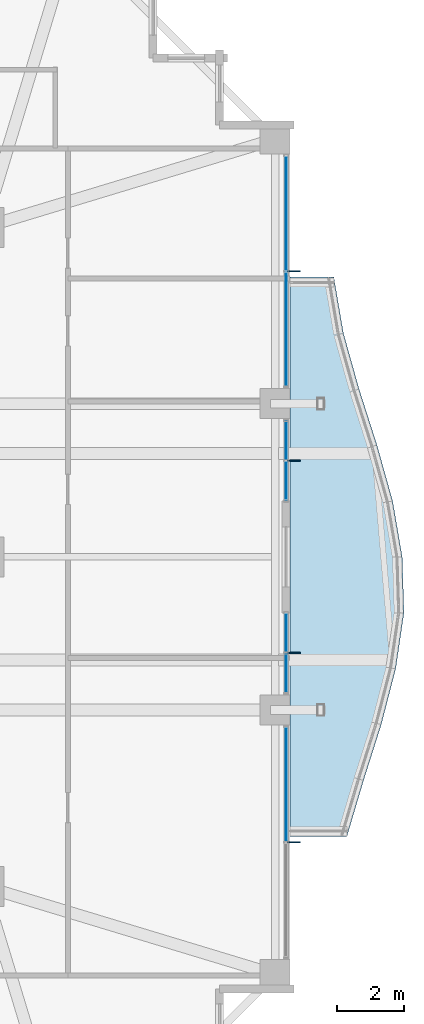
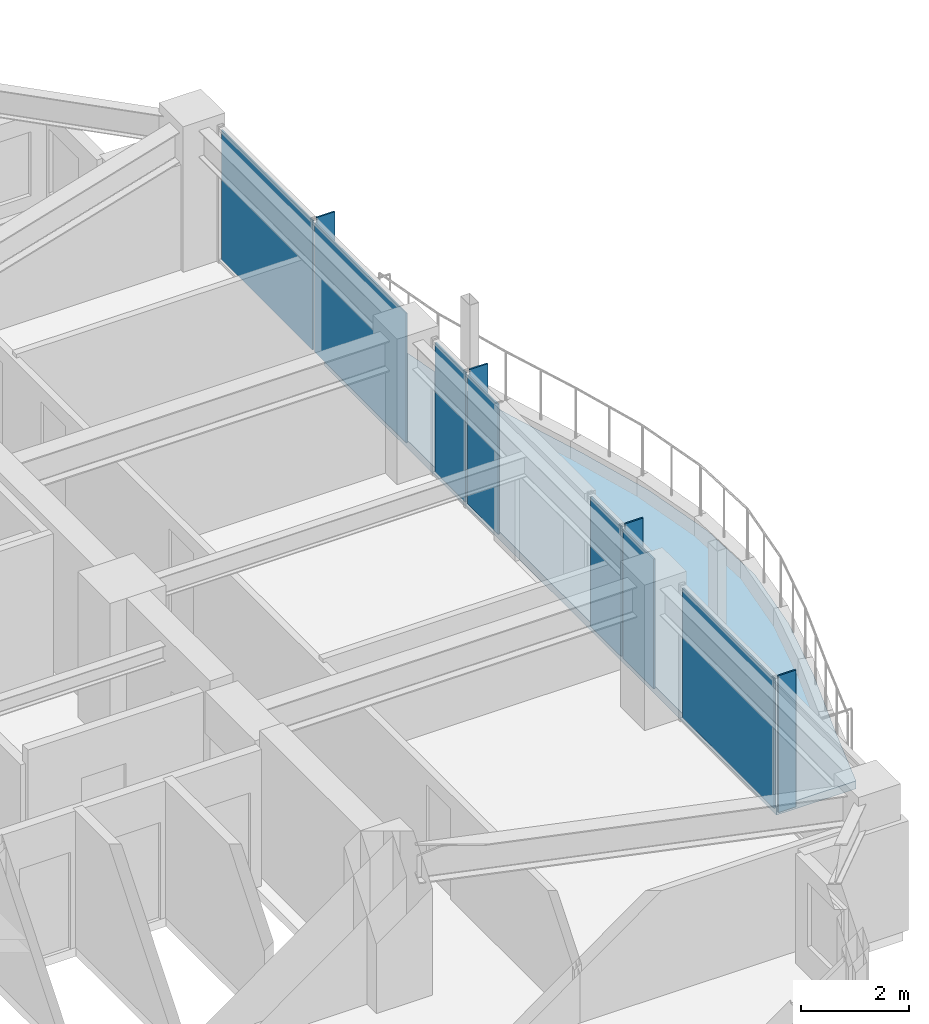
# One storey, part 28 of 35: 11 plates, 1 slab, 4 elements without a shape of their own.
"""IFC4 building model written with IfcOpenShell, lengths in metres."""

from ifc_helpers import new_model, si_unit, direction, frame, origin, origin_2d, place, context, subcontext, project, spatial, polyline, rectangle, outline, extrude, material, layer, layer_set, type_object, element, aggregate, save


model = new_model("IFC4")

# Units and contexts
model_context = context("Model", 3, precision=1e-05, world=origin(), true_north=direction((0.0, 1.0)))
body_context = subcontext(model_context, "Body", "Model", "MODEL_VIEW")
ifc_project = project(units=[si_unit("LENGTHUNIT", "METRE"), si_unit("AREAUNIT", "SQUARE_METRE"), si_unit("VOLUMEUNIT", "CUBIC_METRE"), si_unit("PLANEANGLEUNIT", "RADIAN"), si_unit("MASSUNIT", "GRAM", prefix="KILO")], contexts=[model_context])

# Site, building, storey
site_placement = place(None, origin())
site = spatial("IfcSite", under=ifc_project, at=site_placement, CompositionType="ELEMENT")
building_placement = place(site_placement, origin())
building = spatial("IfcBuilding", under=site, at=building_placement, Name="Kolvaren Belvedere", CompositionType="ELEMENT")
storey_placement = place(building_placement, frame((0.0, 0.0, 163.5)))
storey = spatial("IfcBuildingStorey", under=building, at=storey_placement, Name="L47", CompositionType="ELEMENT", Elevation=163.5)

# Curtain wall, plates
ifc_material_1 = material(Name="Anodised pale-metal aluminium AA 6063-T6", Category="aluminium")
curtain_wall_type = type_object("IfcCurtainWallType", Name="CW-Z3-WAIST", PredefinedType="NOTDEFINED", material=ifc_material_1)
curtain_wall_1_placement = place(storey_placement, origin())
curtain_wall_1 = element("IfcCurtainWall", 1, at=curtain_wall_1_placement, inside=storey, type_object=curtain_wall_type, Name="L47 Unitised Curtain Wall FCW-L47-E1-B1", PredefinedType="NOTDEFINED")
ifc_material_2 = material(Name="Low-iron triple insulated glass", Category="glass")
ifc_layer_1 = layer(ifc_material_2, 0.028076171875)
ifc_layer_set_1 = layer_set([ifc_layer_1], Name="Low-iron triple insulated glass")
plate_type_1 = type_object("IfcPlateType", Name="CW-PNL-VIS28", PredefinedType="CURTAIN_PANEL", material=ifc_layer_set_1)
plate_1_placement = place(storey_placement, frame((18.97998046875, 10.311279296875, 0.080078125), z_axis=(0.0, 0.0, 1.0), x_axis=(0.0, -1.0, 0.0)))
plate_1 = element("IfcPlate", 2, at=plate_1_placement, type_object=plate_type_1, Name="FCW-L47-E1-B1 Vision Glazing Panel 1", PredefinedType="CURTAIN_PANEL", context=body_context, shape_type="SweptSolid", body=[
    extrude(rectangle(XDim=3.392578125, YDim=0.028076171875, at=origin_2d()), origin(), (0.0, 0.0, 1.0), 2.93994140625),
])
plate_2_placement = place(storey_placement, frame((18.97998046875, 6.8388671875, 0.080078125), z_axis=(0.0, 0.0, 1.0), x_axis=(0.0, -1.0, 0.0)))
plate_2 = element("IfcPlate", 3, at=plate_2_placement, type_object=plate_type_1, Name="FCW-L47-E1-B1 Vision Glazing Panel 2", PredefinedType="CURTAIN_PANEL", context=body_context, shape_type="SweptSolid", body=[
    extrude(rectangle(XDim=3.392578125, YDim=0.028076171875, at=origin_2d()), origin(), (0.0, 0.0, 1.0), 2.93994140625),
])
aggregate(curtain_wall_1, [plate_1, plate_2])

curtain_wall_2_placement = place(storey_placement, origin())
curtain_wall_2 = element("IfcCurtainWall", 4, at=curtain_wall_2_placement, inside=storey, type_object=curtain_wall_type, Name="L47 Unitised Curtain Wall FCW-L47-E1-B2", PredefinedType="NOTDEFINED")
plate_3_placement = place(storey_placement, frame((18.97998046875, 3.4931640625, 0.080078125), z_axis=(0.0, 0.0, 1.0), x_axis=(0.0, -1.0, 0.0)))
plate_3 = element("IfcPlate", 5, at=plate_3_placement, type_object=plate_type_1, Name="FCW-L47-E1-B2 Vision Glazing Panel 1", PredefinedType="CURTAIN_PANEL", context=body_context, shape_type="SweptSolid", body=[
    extrude(rectangle(XDim=1.12890625, YDim=0.028076171875, at=origin_2d()), origin(), (0.0, 0.0, 1.0), 2.93994140625),
])
plate_4_placement = place(storey_placement, frame((18.97998046875, 2.284423828125, 0.080078125), z_axis=(0.0, 0.0, 1.0), x_axis=(0.0, -1.0, 0.0)))
plate_4 = element("IfcPlate", 6, at=plate_4_placement, type_object=plate_type_1, Name="FCW-L47-E1-B2 Vision Glazing Panel 2", PredefinedType="CURTAIN_PANEL", context=body_context, shape_type="SweptSolid", body=[
    extrude(rectangle(XDim=1.12890625, YDim=0.028076171875, at=origin_2d()), origin(), (0.0, 0.0, 1.0), 2.93994140625),
])
aggregate(curtain_wall_2, [plate_3, plate_4])

curtain_wall_3_placement = place(storey_placement, origin())
curtain_wall_3 = element("IfcCurtainWall", 7, at=curtain_wall_3_placement, inside=storey, type_object=curtain_wall_type, Name="L47 Unitised Curtain Wall FCW-L47-E2-B1", PredefinedType="NOTDEFINED")
plate_5_placement = place(storey_placement, frame((18.97998046875, -2.284423828125, 0.080078125), z_axis=(0.0, 0.0, 1.0), x_axis=(0.0, -1.0, 0.0)))
plate_5 = element("IfcPlate", 8, at=plate_5_placement, type_object=plate_type_1, Name="FCW-L47-E2-B1 Vision Glazing Panel 1", PredefinedType="CURTAIN_PANEL", context=body_context, shape_type="SweptSolid", body=[
    extrude(rectangle(XDim=1.12890625, YDim=0.028076171875, at=origin_2d()), origin(), (0.0, 0.0, 1.0), 2.93994140625),
])
plate_6_placement = place(storey_placement, frame((18.97998046875, -3.4931640625, 0.080078125), z_axis=(0.0, 0.0, 1.0), x_axis=(0.0, -1.0, 0.0)))
plate_6 = element("IfcPlate", 9, at=plate_6_placement, type_object=plate_type_1, Name="FCW-L47-E2-B1 Vision Glazing Panel 2", PredefinedType="CURTAIN_PANEL", context=body_context, shape_type="SweptSolid", body=[
    extrude(rectangle(XDim=1.12890625, YDim=0.028076171875, at=origin_2d()), origin(), (0.0, 0.0, 1.0), 2.93994140625),
])
aggregate(curtain_wall_3, [plate_5, plate_6])

# Curtain wall, plate
curtain_wall_4_placement = place(storey_placement, origin())
curtain_wall_4 = element("IfcCurtainWall", 10, at=curtain_wall_4_placement, inside=storey, type_object=curtain_wall_type, Name="L47 Unitised Curtain Wall FCW-L47-E2-B2", PredefinedType="NOTDEFINED")
plate_7_placement = place(storey_placement, frame((18.97998046875, -6.8388671875, 0.080078125), z_axis=(0.0, 0.0, 1.0), x_axis=(0.0, -1.0, 0.0)))
plate_7 = element("IfcPlate", 11, at=plate_7_placement, type_object=plate_type_1, Name="FCW-L47-E2-B2 Vision Glazing Panel 1", PredefinedType="CURTAIN_PANEL", context=body_context, shape_type="SweptSolid", body=[
    extrude(rectangle(XDim=3.392578125, YDim=0.028076171875, at=origin_2d()), origin(), (0.0, 0.0, 1.0), 2.93994140625),
])
aggregate(curtain_wall_4, [plate_7])

# Plates
ifc_material_3 = material(Name="Anodised pale-metal aluminium AA 6063-T6", Category="aluminium")
ifc_layer_2 = layer(ifc_material_3, 0.033935546875)
ifc_layer_set_2 = layer_set([ifc_layer_2], Name="Anodised pale-metal aluminium AA 6063-T6")
plate_type_2 = type_object("IfcPlateType", Name="FIN-VERT-380", PredefinedType="USERDEFINED", material=ifc_layer_set_2)
for number, where, z_axis, x_axis, name in (
    (12, (19.219970703125, 8.574951171875, 0.0), (0.0, 0.0, 1.0), (1.0, 0.0, 0.0), "L47 Pale-Metal Vertical Shading Fin FCW-L47-E1-B1-1"),
    (13, (19.219970703125, 2.888671875, 0.0), (0.0, 0.0, 1.0), (1.0, 0.0, 0.0), "L47 Pale-Metal Vertical Shading Fin FCW-L47-E1-B2-1"),
    (14, (19.219970703125, -2.888671875, 0.0), (0.0, 0.0, 1.0), (1.0, 0.0, 0.0), "L47 Pale-Metal Vertical Shading Fin FCW-L47-E2-B1-1"),
    (15, (19.219970703125, -8.574951171875, 0.0), (0.0, 0.0, 1.0), (1.0, 0.0, 0.0), "L47 Pale-Metal Vertical Shading Fin FCW-L47-E2-B2-1"),
):
    element("IfcPlate", number, at=place(storey_placement, frame(where, z_axis=z_axis, x_axis=x_axis)), inside=storey, type_object=plate_type_2, Name=name, ObjectType="VERTICAL FIN", PredefinedType="USERDEFINED", context=body_context, shape_type="SweptSolid", body=[
        extrude(rectangle(XDim=0.3798828125, YDim=0.033935546875, at=origin_2d()), origin(), (0.0, 0.0, 1.0), 3.10009765625),
    ])

# Slab
ifc_material_4 = material(Name="Concrete C50/60", Category="concrete")
ifc_layer_3 = layer(ifc_material_4, 0.179931640625)
ifc_layer_set_3 = layer_set([ifc_layer_3], Name="Concrete C50/60")
slab_type = type_object("IfcSlabType", Name="SL-BAL-180", PredefinedType="FLOOR", material=ifc_layer_set_3)
slab_placement = place(storey_placement, frame((0.0, 0.0, -0.199951171875)))
element("IfcSlab", 16, at=slab_placement, inside=storey, type_object=slab_type, Name="L47 Planted Balcony BAL-E", PredefinedType="FLOOR", context=body_context, shape_type="SweptSolid", body=[
    extrude(outline(polyline([(20.80517578125, -8.39990234375), (21.3046875, -6.719970703125), (21.837646484375, -5.0400390625), (22.272216796875, -3.360107421875), (22.52001953125, -1.679931640625), (22.467041015625, 0.0), (22.17919921875, 1.679931640625), (21.70849609375, 3.360107421875), (21.17138671875, 5.0400390625), (20.70068359375, 6.719970703125), (20.412841796875, 8.39990234375), (19.10009765625, 8.39990234375), (19.10009765625, 6.719970703125), (19.10009765625, 5.0400390625), (19.10009765625, 3.360107421875), (19.10009765625, 1.679931640625), (19.10009765625, 0.0), (19.10009765625, -1.679931640625), (19.10009765625, -3.360107421875), (19.10009765625, -5.0400390625), (19.10009765625, -6.719970703125), (19.10009765625, -8.39990234375), (20.80517578125, -8.39990234375)])), origin(), (0.0, 0.0, 1.0), 0.179931640625),
])

save(model, "model.ifc")
